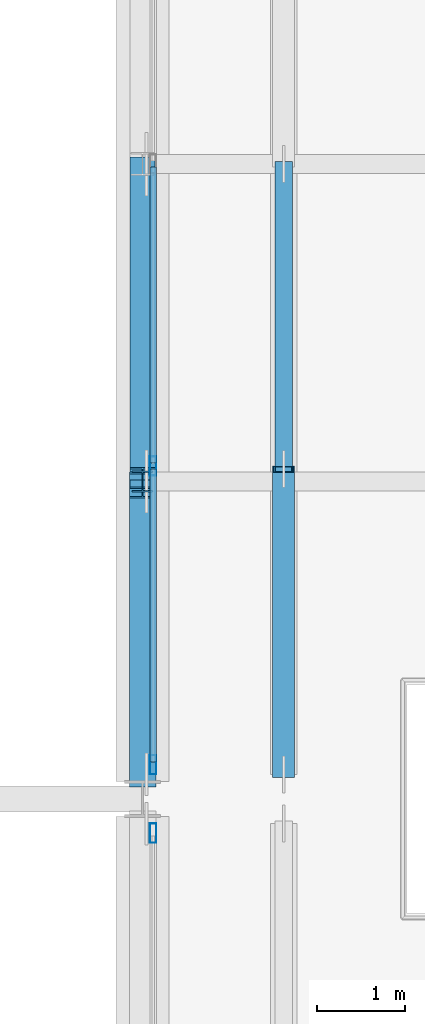
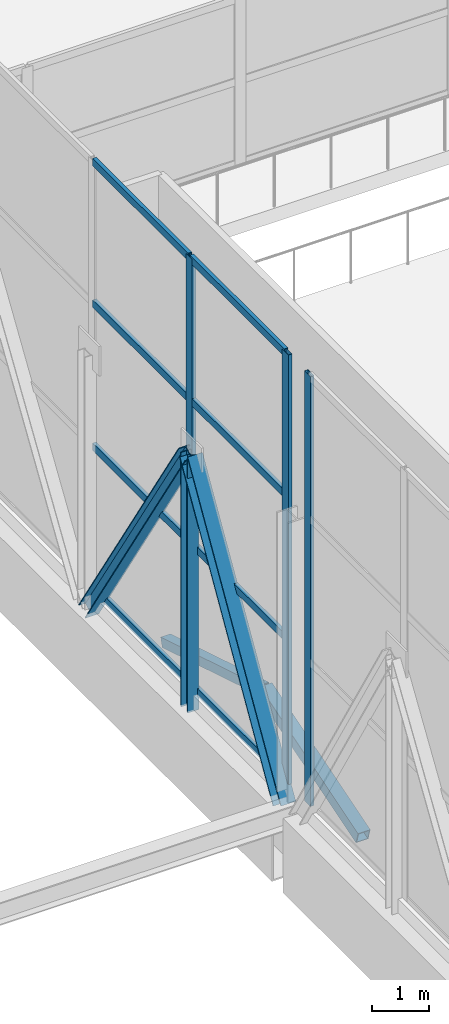
# One storey, part 37 of 191: 16 members, 2 elements without a shape of their own.
"""IFC4 building model written with IfcOpenShell, lengths in metres."""

import ifcopenshell
import ifcopenshell.guid

model = None  # the IFC model being written
_history = None  # IfcOwnerHistory: only IFC2X3 demands one
_inside = {}  # id of a spatial element -> (the spatial element, [elements in it])
_under = {}  # id of a project, library or spatial element -> (it, [spatial elements below it])
_declared = {}  # id of a project -> (the project, [libraries it declares])
_typed = {}  # id of a type object -> (the type object, [elements of that type])
_made_of = {}  # id of a material, layer set ... -> (it, [elements and type objects made of it])


def new_model(schema):
    """Start an empty IFC model of exactly this schema.

    Asked for "IFC4X3", IfcOpenShell would pick the latest addendum, in which some entities
    have other attributes; the version numbers below select the first issue.
    IFC2X3 requires an IfcOwnerHistory on every rooted entity: one is made here for all.
    """
    global model, _history
    if schema == "IFC4X3":
        model = ifcopenshell.file(schema_version=(4, 3, 0, 0))
    else:
        model = ifcopenshell.file(schema=schema)
    _inside.clear()
    _under.clear()
    _declared.clear()
    _typed.clear()
    _made_of.clear()
    _history = None
    if model.schema == "IFC2X3":
        org = make("IfcOrganization", Name="unknown")
        user = make(
            "IfcPersonAndOrganization",
            ThePerson=make("IfcPerson", FamilyName="unknown"),
            TheOrganization=org,
        )
        app = make(
            "IfcApplication",
            ApplicationDeveloper=org,
            Version="unknown",
            ApplicationFullName="unknown",
            ApplicationIdentifier="unknown",
        )
        _history = make(
            "IfcOwnerHistory",
            OwningUser=user,
            OwningApplication=app,
            ChangeAction="ADDED",
            CreationDate=0,
        )
    return model


def make(cls, **values):
    """One entity of the class cls with the attributes given. An attribute that is None is left unset."""
    return model.create_entity(
        cls, **{name: value for name, value in values.items() if value is not None}
    )


def rooted(cls, **values):
    """An entity with a GlobalId (a new one), such as an element, a storey or a relation."""
    return make(cls, GlobalId=ifcopenshell.guid.new(), OwnerHistory=_history, **values)


def si_unit(unit_type, name, prefix=None):
    """IfcSIUnit, for example si_unit("LENGTHUNIT", "METRE", prefix="MILLI")."""
    return make("IfcSIUnit", UnitType=unit_type, Prefix=prefix, Name=name)


def assignment(units):
    """IfcUnitAssignment: the units of a project."""
    return None if units is None else make("IfcUnitAssignment", Units=units)


def point(xyz):
    """IfcCartesianPoint."""
    return None if xyz is None else make("IfcCartesianPoint", Coordinates=xyz)


def direction(xyz):
    """IfcDirection."""
    return None if xyz is None else make("IfcDirection", DirectionRatios=xyz)


def frame(location, z_axis=None, x_axis=None):
    """IfcAxis2Placement3D, a coordinate frame: its origin and axes. An axis left out is left unset."""
    return make(
        "IfcAxis2Placement3D",
        Location=point(location),
        Axis=direction(z_axis),
        RefDirection=direction(x_axis),
    )


def frame_2d(location, x_axis=None):
    """IfcAxis2Placement2D, a coordinate frame in the plane: its origin and x axis."""
    return make(
        "IfcAxis2Placement2D", Location=point(location), RefDirection=direction(x_axis)
    )


def origin():
    """The frame at (0, 0, 0) with its axes left unset."""
    return frame((0.0, 0.0, 0.0))


def origin_2d():
    """The frame at (0, 0) in the plane with its x axis left unset."""
    return frame_2d((0.0, 0.0))


def place(relative_to, where):
    """IfcLocalPlacement: puts the frame where relative to a parent placement (None: the world)."""
    return make(
        "IfcLocalPlacement", PlacementRelTo=relative_to, RelativePlacement=where
    )


def context(
    kind, dimensions, precision=None, world=None, true_north=None, identifier=None
):
    """IfcGeometricRepresentationContext, for example the 3D "Model" context."""
    return make(
        "IfcGeometricRepresentationContext",
        ContextIdentifier=identifier,
        ContextType=kind,
        CoordinateSpaceDimension=dimensions,
        Precision=precision,
        WorldCoordinateSystem=world,
        TrueNorth=true_north,
    )


def subcontext(parent, identifier, kind, view, scale=None):
    """IfcGeometricRepresentationSubContext, for example "Body" below "Model"."""
    return make(
        "IfcGeometricRepresentationSubContext",
        ContextIdentifier=identifier,
        ContextType=kind,
        ParentContext=parent,
        TargetScale=scale,
        TargetView=view,
    )


def project(units=None, contexts=None):
    """IfcProject with its units and contexts."""
    return rooted(
        "IfcProject",
        Name="project",
        RepresentationContexts=contexts,
        UnitsInContext=assignment(units),
    )


def spatial(cls, under=None, at=None, **own):
    """A site, building, storey or space (cls), placed at a placement, below another one or the project."""
    s = rooted(cls, ObjectPlacement=at, **own)
    if under is not None:
        _under.setdefault(under.id(), (under, []))[1].append(s)
    return s


def profile(cls, at=None, kind="AREA", **sizes):
    """A parametric profile (cls). Its sizes go by their IFC names, for example OverallWidth=200.0."""
    return make(cls, ProfileType=kind, Position=at, **sizes)


def hollow_rectangle(**sizes):
    """IfcRectangleHollowProfileDef."""
    return profile("IfcRectangleHollowProfileDef", **sizes)


def i_section(**sizes):
    """IfcIShapeProfileDef."""
    return profile("IfcIShapeProfileDef", **sizes)


def extrude(swept, where, along, depth):
    """IfcExtrudedAreaSolid: the profile swept, set in the frame where, extruded along a direction by depth."""
    return make(
        "IfcExtrudedAreaSolid",
        SweptArea=swept,
        Position=where,
        ExtrudedDirection=direction(along),
        Depth=depth,
    )


def shape(context_of_items, identifier, shape_type, items):
    """IfcShapeRepresentation: the items that make up one representation, for example the "Body"."""
    return make(
        "IfcShapeRepresentation",
        ContextOfItems=context_of_items,
        RepresentationIdentifier=identifier,
        RepresentationType=shape_type,
        Items=items,
    )


def material(Name=None, Category=None):
    """IfcMaterial."""
    return make("IfcMaterial", Name=Name, Category=Category)


def layer(
    of_material, thickness, ventilated=None, Name=None, Category=None, Priority=None
):
    """IfcMaterialLayer: one layer of a wall or slab, of a material (None: an air gap)."""
    return make(
        "IfcMaterialLayer",
        Material=of_material,
        LayerThickness=thickness,
        IsVentilated=ventilated,
        Name=Name,
        Category=Category,
        Priority=Priority,
    )


def layer_set(layers, Name=None):
    """IfcMaterialLayerSet."""
    return make("IfcMaterialLayerSet", MaterialLayers=layers, LayerSetName=Name)


def material_profile(
    of_material, cross_section, Name=None, Category=None, Priority=None
):
    """IfcMaterialProfile: a cross section and its material."""
    return make(
        "IfcMaterialProfile",
        Name=Name,
        Material=of_material,
        Profile=cross_section,
        Priority=Priority,
        Category=Category,
    )


def profile_set(profiles, Name=None, composite=None):
    """IfcMaterialProfileSet."""
    return make(
        "IfcMaterialProfileSet",
        Name=Name,
        MaterialProfiles=profiles,
        CompositeProfile=composite,
    )


def made_of(thing, what):
    """Note that an element or type object is made of a material, layer set ...; save() writes the relation."""
    if what is not None:
        _made_of.setdefault(what.id(), (what, []))[1].append(thing)
    return thing


def type_object(cls, material=None, **own):
    """A type object (cls), such as IfcWallType, which elements share."""
    return made_of(rooted(cls, **own), material)


def element(
    cls,
    number,
    at=None,
    inside=None,
    cuts=None,
    type_object=None,
    material=None,
    context=None,
    identifier="Body",
    shape_type=None,
    held_by="IfcProductDefinitionShape",
    body=None,
    shapes=None,
    **own,
):
    """One element of the class cls, such as IfcWall. Its Tag is "e" and its number.

    at: its placement. inside: the storey or other place that contains it. cuts: it is an
    opening in that element (IfcRelVoidsElement). A single representation is given by context,
    identifier, shape_type and body (its items); several are given by shapes. held_by: the class
    of the entity that holds the representations. save() writes the other relations.
    """
    e = rooted(cls, Tag="e%d" % number, ObjectPlacement=at, **own)
    if body is not None:
        shapes = [shape(context, identifier, shape_type, body)]
    if shapes is not None:
        e.Representation = make(held_by, Representations=shapes)
    if inside is not None:
        _inside.setdefault(inside.id(), (inside, []))[1].append(e)
    if cuts is not None:
        rooted(
            "IfcRelVoidsElement", RelatingBuildingElement=cuts, RelatedOpeningElement=e
        )
    if type_object is not None:
        _typed.setdefault(type_object.id(), (type_object, []))[1].append(e)
    return made_of(e, material)


def aggregate(whole, parts):
    """IfcRelAggregates: a whole, such as a stair, and the parts it consists of."""
    return rooted("IfcRelAggregates", RelatingObject=whole, RelatedObjects=parts)


def save(model, path):
    """Write the relations noted so far, then the file.

    IfcRelAggregates (storeys below a building ...), IfcRelContainedInSpatialStructure (elements
    in a storey), IfcRelDefinesByType, IfcRelAssociatesMaterial and IfcRelDeclares: one each for
    every whole, place, type object, material and project.
    """
    for whole, parts in _under.values():
        aggregate(whole, parts)
    for where, things in _inside.values():
        rooted(
            "IfcRelContainedInSpatialStructure",
            RelatedElements=things,
            RelatingStructure=where,
        )
    for kind, things in _typed.values():
        rooted("IfcRelDefinesByType", RelatedObjects=things, RelatingType=kind)
    for what, things in _made_of.values():
        rooted("IfcRelAssociatesMaterial", RelatedObjects=things, RelatingMaterial=what)
    for by, libraries in _declared.values():
        rooted("IfcRelDeclares", RelatingContext=by, RelatedDefinitions=libraries)
    model.write(path)


model = new_model("IFC4")

# Units and contexts
model_context = context("Model", 3, precision=1e-05, world=origin(), true_north=direction((0.0, 1.0)))
body_context = subcontext(model_context, "Body", "Model", "MODEL_VIEW")
ifc_project = project(units=[si_unit("LENGTHUNIT", "METRE"), si_unit("AREAUNIT", "SQUARE_METRE"), si_unit("VOLUMEUNIT", "CUBIC_METRE"), si_unit("PLANEANGLEUNIT", "RADIAN"), si_unit("MASSUNIT", "GRAM", prefix="KILO")], contexts=[model_context])

# Site, building, storey
site_placement = place(None, origin())
site = spatial("IfcSite", under=ifc_project, at=site_placement, CompositionType="ELEMENT")
building_placement = place(site_placement, origin())
building = spatial("IfcBuilding", under=site, at=building_placement, Name="Tamarisk Ironworks Central Station", CompositionType="ELEMENT")
storey_placement = place(building_placement, frame((0.0, 0.0, 6.60009765625)))
storey = spatial("IfcBuildingStorey", under=building, at=storey_placement, Name="L01", CompositionType="ELEMENT", Elevation=6.60009765625)

# Curtain wall, member
ifc_material_1 = material(Name="Anodized aluminium alloy 6063-T6", Category="aluminium")
ifc_layer = layer(ifc_material_1, 0.179931640625)
ifc_layer_set = layer_set([ifc_layer], Name="Anodized aluminium alloy 6063-T6")
curtain_wall_type = type_object("IfcCurtainWallType", Name="CW-06", PredefinedType="USERDEFINED", material=ifc_layer_set)
curtain_wall_1_placement = place(storey_placement, origin())
curtain_wall_1 = element("IfcCurtainWall", 1, at=curtain_wall_1_placement, inside=storey, type_object=curtain_wall_type, Name="Concourse W track-overlook curtain wall 03", ObjectType="GLAZED CURTAIN WALL", PredefinedType="USERDEFINED")
ifc_material_profile_1 = material_profile(ifc_material_1, hollow_rectangle(XDim=0.074951171875, YDim=0.219970703125, WallThickness=0.00390625, at=origin_2d()), Name="ALUM 220x75")
ifc_profile_set_1 = profile_set([ifc_material_profile_1], Name="Anodized aluminium alloy 6063-T6")
member_type_1 = type_object("IfcMemberType", Name="CWM-01", PredefinedType="MULLION", material=ifc_profile_set_1)
member_1_placement = place(storey_placement, frame((54.1201171875, 50.012451171875, 0.0), z_axis=(0.0, 0.0, 1.0), x_axis=(-1.0, 0.0, 0.0)))
member_1 = element("IfcMember", 2, at=member_1_placement, type_object=member_type_1, Name="CW06 mullion 5", PredefinedType="MULLION", context=body_context, shape_type="SweptSolid", body=[
    extrude(hollow_rectangle(XDim=0.074951171875, YDim=0.219970703125, WallThickness=0.00390625, at=origin_2d()), origin(), (0.0, 0.0, 1.0), 9.219970703125),
])
aggregate(curtain_wall_1, [member_1])

# Curtain wall, members
curtain_wall_2_placement = place(storey_placement, origin())
curtain_wall_2 = element("IfcCurtainWall", 3, at=curtain_wall_2_placement, inside=storey, type_object=curtain_wall_type, Name="Concourse W track-overlook curtain wall 04", ObjectType="GLAZED CURTAIN WALL", PredefinedType="USERDEFINED")
member_2_placement = place(storey_placement, frame((54.1201171875, 50.78759765625, 0.0), z_axis=(0.0, 0.0, 1.0), x_axis=(-1.0, 0.0, 0.0)))
member_2 = element("IfcMember", 4, at=member_2_placement, type_object=member_type_1, Name="CW06 mullion 1", PredefinedType="MULLION", context=body_context, shape_type="SweptSolid", body=[
    extrude(hollow_rectangle(XDim=0.074951171875, YDim=0.219970703125, WallThickness=0.00390625, at=origin_2d()), origin(), (0.0, 0.0, 1.0), 9.219970703125),
])
member_3_placement = place(storey_placement, frame((54.1201171875, 54.175048828125, 0.0), z_axis=(0.0, 0.0, 1.0), x_axis=(-1.0, 0.0, 0.0)))
member_3 = element("IfcMember", 5, at=member_3_placement, type_object=member_type_1, Name="CW06 mullion 2", PredefinedType="MULLION", context=body_context, shape_type="SweptSolid", body=[
    extrude(hollow_rectangle(XDim=0.074951171875, YDim=0.219970703125, WallThickness=0.00390625, at=origin_2d()), origin(), (0.0, 0.0, 1.0), 9.219970703125),
])
ifc_material_profile_2 = material_profile(ifc_material_1, hollow_rectangle(XDim=0.074951171875, YDim=0.159912109375, WallThickness=0.00390625, at=origin_2d()), Name="ALUM 160x75")
ifc_profile_set_2 = profile_set([ifc_material_profile_2], Name="Anodized aluminium alloy 6063-T6")
member_type_2 = type_object("IfcMemberType", Name="CWT-01", PredefinedType="USERDEFINED", material=ifc_profile_set_2)
member_4_placement = place(storey_placement, frame((54.1201171875, 50.821044921875, 0.037353515625), z_axis=(0.0, 1.0, 0.0), x_axis=(-1.0, 0.0, 0.0)))
member_4 = element("IfcMember", 6, at=member_4_placement, type_object=member_type_2, Name="CW06 transom 1.1", ObjectType="TRANSOM", PredefinedType="USERDEFINED", context=body_context, shape_type="SweptSolid", body=[
    extrude(hollow_rectangle(XDim=0.074951171875, YDim=0.159912109375, WallThickness=0.00390625, at=origin_2d()), origin(), (0.0, 0.0, 1.0), 3.320556640625),
])
member_5_placement = place(storey_placement, frame((54.1201171875, 50.821044921875, 3.0732421875), z_axis=(0.0, 1.0, 0.0), x_axis=(-1.0, 0.0, 0.0)))
member_5 = element("IfcMember", 7, at=member_5_placement, type_object=member_type_2, Name="CW06 transom 1.2", ObjectType="TRANSOM", PredefinedType="USERDEFINED", context=body_context, shape_type="SweptSolid", body=[
    extrude(hollow_rectangle(XDim=0.074951171875, YDim=0.159912109375, WallThickness=0.00390625, at=origin_2d()), origin(), (0.0, 0.0, 1.0), 3.320556640625),
])
member_6_placement = place(storey_placement, frame((54.1201171875, 50.821044921875, 6.146484375), z_axis=(0.0, 1.0, 0.0), x_axis=(-1.0, 0.0, 0.0)))
member_6 = element("IfcMember", 8, at=member_6_placement, type_object=member_type_2, Name="CW06 transom 1.3", ObjectType="TRANSOM", PredefinedType="USERDEFINED", context=body_context, shape_type="SweptSolid", body=[
    extrude(hollow_rectangle(XDim=0.074951171875, YDim=0.159912109375, WallThickness=0.00390625, at=origin_2d()), origin(), (0.0, 0.0, 1.0), 3.320556640625),
])
member_7_placement = place(storey_placement, frame((54.1201171875, 50.821044921875, 9.182373046875), z_axis=(0.0, 1.0, 0.0), x_axis=(-1.0, 0.0, 0.0)))
member_7 = element("IfcMember", 9, at=member_7_placement, type_object=member_type_2, Name="CW06 transom 1.4", ObjectType="TRANSOM", PredefinedType="USERDEFINED", context=body_context, shape_type="SweptSolid", body=[
    extrude(hollow_rectangle(XDim=0.074951171875, YDim=0.159912109375, WallThickness=0.00390625, at=origin_2d()), origin(), (0.0, 0.0, 1.0), 3.320556640625),
])
member_8_placement = place(storey_placement, frame((54.1201171875, 54.20849609375, 0.037353515625), z_axis=(0.0, 1.0, 0.0), x_axis=(-1.0, 0.0, 0.0)))
member_8 = element("IfcMember", 10, at=member_8_placement, type_object=member_type_2, Name="CW06 transom 2.1", ObjectType="TRANSOM", PredefinedType="USERDEFINED", context=body_context, shape_type="SweptSolid", body=[
    extrude(hollow_rectangle(XDim=0.074951171875, YDim=0.159912109375, WallThickness=0.00390625, at=origin_2d()), origin(), (0.0, 0.0, 1.0), 3.35791015625),
])
member_9_placement = place(storey_placement, frame((54.1201171875, 54.20849609375, 3.0732421875), z_axis=(0.0, 1.0, 0.0), x_axis=(-1.0, 0.0, 0.0)))
member_9 = element("IfcMember", 11, at=member_9_placement, type_object=member_type_2, Name="CW06 transom 2.2", ObjectType="TRANSOM", PredefinedType="USERDEFINED", context=body_context, shape_type="SweptSolid", body=[
    extrude(hollow_rectangle(XDim=0.074951171875, YDim=0.159912109375, WallThickness=0.00390625, at=origin_2d()), origin(), (0.0, 0.0, 1.0), 3.35791015625),
])
member_10_placement = place(storey_placement, frame((54.1201171875, 54.20849609375, 6.146484375), z_axis=(0.0, 1.0, 0.0), x_axis=(-1.0, 0.0, 0.0)))
member_10 = element("IfcMember", 12, at=member_10_placement, type_object=member_type_2, Name="CW06 transom 2.3", ObjectType="TRANSOM", PredefinedType="USERDEFINED", context=body_context, shape_type="SweptSolid", body=[
    extrude(hollow_rectangle(XDim=0.074951171875, YDim=0.159912109375, WallThickness=0.00390625, at=origin_2d()), origin(), (0.0, 0.0, 1.0), 3.35791015625),
])
member_11_placement = place(storey_placement, frame((54.1201171875, 54.20849609375, 9.182373046875), z_axis=(0.0, 1.0, 0.0), x_axis=(-1.0, 0.0, 0.0)))
member_11 = element("IfcMember", 13, at=member_11_placement, type_object=member_type_2, Name="CW06 transom 2.4", ObjectType="TRANSOM", PredefinedType="USERDEFINED", context=body_context, shape_type="SweptSolid", body=[
    extrude(hollow_rectangle(XDim=0.074951171875, YDim=0.159912109375, WallThickness=0.00390625, at=origin_2d()), origin(), (0.0, 0.0, 1.0), 3.35791015625),
])
aggregate(curtain_wall_2, [member_2, member_3, member_4, member_5, member_6, member_7, member_8, member_9, member_10, member_11])

# Members
ifc_material_2 = material(Name="Structural steel S355J2H", Category="steel")
ifc_material_profile_3 = material_profile(ifc_material_2, hollow_rectangle(XDim=0.25, YDim=0.25, WallThickness=0.012451171875, at=origin_2d()), Name="SHS 250x250x12.5")
ifc_profile_set_3 = profile_set([ifc_material_profile_3], Name="Structural steel S355J2H")
member_type_3 = type_object("IfcMemberType", Name="MB-BR01", PredefinedType="BRACE", material=ifc_profile_set_3)
member_12_placement = place(storey_placement, frame((55.60009765625, 50.679931640625, -1.64013671875), z_axis=(0.0, 0.956131332595, 0.292938346467), x_axis=(-1.0, 0.0, 0.0)))
element("IfcMember", 14, at=member_12_placement, inside=storey, type_object=member_type_3, Name="Bridge deck stiffening web brace 127", PredefinedType="BRACE", context=body_context, shape_type="SweptSolid", body=[
    extrude(hollow_rectangle(XDim=0.25, YDim=0.25, WallThickness=0.012451171875, at=origin_2d()), origin(), (0.0, 0.0, 1.0), 3.61865234375),
])
ifc_material_profile_4 = material_profile(ifc_material_2, hollow_rectangle(XDim=0.199951171875, YDim=0.199951171875, WallThickness=0.010009765625, at=origin_2d()), Name="SHS 200x200x10")
ifc_profile_set_4 = profile_set([ifc_material_profile_4], Name="Structural steel S355J2H")
member_type_4 = type_object("IfcMemberType", Name="MB-BR02", PredefinedType="BRACE", material=ifc_profile_set_4)
member_13_placement = place(storey_placement, frame((55.60009765625, 54.139892578125, -0.580078125), z_axis=(0.0, 0.956137121505, -0.29291945118), x_axis=(-1.0, 0.0, 0.0)))
element("IfcMember", 15, at=member_13_placement, inside=storey, type_object=member_type_4, Name="Bridge deck stiffening web brace 128", PredefinedType="BRACE", context=body_context, shape_type="SweptSolid", body=[
    extrude(hollow_rectangle(XDim=0.199951171875, YDim=0.199951171875, WallThickness=0.010009765625, at=origin_2d()), origin(), (0.0, 0.0, 1.0), 3.618896484375),
])
ifc_material_3 = material(Name="Structural steel S355J2", Category="steel")
ifc_material_profile_5 = material_profile(ifc_material_3, i_section(OverallWidth=0.300048828125, OverallDepth=0.340087890625, WebThickness=0.011962890625, FlangeThickness=0.021484375, at=origin_2d()), Name="HEB 340")
ifc_profile_set_5 = profile_set([ifc_material_profile_5], Name="Structural steel S355J2")
member_type_5 = type_object("IfcMemberType", Name="MB-TTD01", PredefinedType="BRACE", material=ifc_profile_set_5)
member_14_placement = place(storey_placement, frame((54.0, 50.679931640625, -0.380126953125), z_axis=(0.0, 0.512200847378, 0.858865700762), x_axis=(-1.0, 0.0, 0.0)))
element("IfcMember", 16, at=member_14_placement, inside=storey, type_object=member_type_5, Name="Transfer truss diagonal 015", PredefinedType="BRACE", context=body_context, shape_type="SweptSolid", body=[
    extrude(i_section(OverallWidth=0.300048828125, OverallDepth=0.340087890625, WebThickness=0.011962890625, FlangeThickness=0.021484375, at=origin_2d()), origin(), (0.0, 0.0, 1.0), 6.40380859375),
])
ifc_material_profile_6 = material_profile(ifc_material_3, i_section(OverallWidth=0.280029296875, OverallDepth=0.280029296875, WebThickness=0.010498046875, FlangeThickness=0.01806640625, at=origin_2d()), Name="HEB 280")
ifc_profile_set_6 = profile_set([ifc_material_profile_6], Name="Structural steel S355J2")
member_type_6 = type_object("IfcMemberType", Name="MB-TTD02", PredefinedType="BRACE", material=ifc_profile_set_6)
member_15_placement = place(storey_placement, frame((54.0, 54.0400390625, 5.119873046875), z_axis=(0.0, 0.539055818311, -0.842270042649), x_axis=(-1.0, 0.0, 0.0)))
element("IfcMember", 17, at=member_15_placement, inside=storey, type_object=member_type_6, Name="Transfer truss diagonal 016", PredefinedType="BRACE", context=body_context, shape_type="SweptSolid", body=[
    extrude(i_section(OverallWidth=0.280029296875, OverallDepth=0.280029296875, WebThickness=0.010498046875, FlangeThickness=0.01806640625, at=origin_2d()), origin(), (0.0, 0.0, 1.0), 6.530029296875),
])
ifc_material_profile_7 = material_profile(ifc_material_3, i_section(OverallWidth=0.239990234375, OverallDepth=0.239990234375, WebThickness=0.010009765625, FlangeThickness=0.01708984375, at=origin_2d()), Name="HEB 240")
ifc_profile_set_7 = profile_set([ifc_material_profile_7], Name="Structural steel S355J2")
member_type_7 = type_object("IfcMemberType", Name="MB-TTP02", PredefinedType="POST", material=ifc_profile_set_7)
member_16_placement = place(storey_placement, frame((54.0, 54.0, -0.340087890625), z_axis=(0.0, 0.0, 1.0), x_axis=(1.0, 0.0, 0.0)))
element("IfcMember", 18, at=member_16_placement, inside=storey, type_object=member_type_7, Name="Transfer truss vertical post 017", PredefinedType="POST", context=body_context, shape_type="SweptSolid", body=[
    extrude(i_section(OverallWidth=0.239990234375, OverallDepth=0.239990234375, WebThickness=0.010009765625, FlangeThickness=0.01708984375, at=origin_2d()), origin(), (0.0, 0.0, 1.0), 5.4599609375),
])

save(model, "model.ifc")
